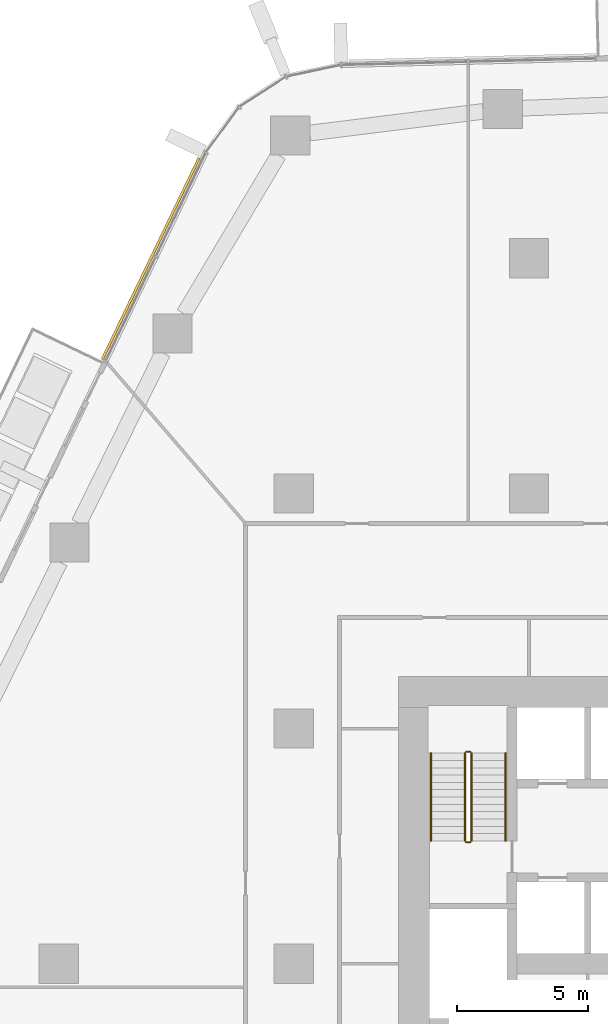
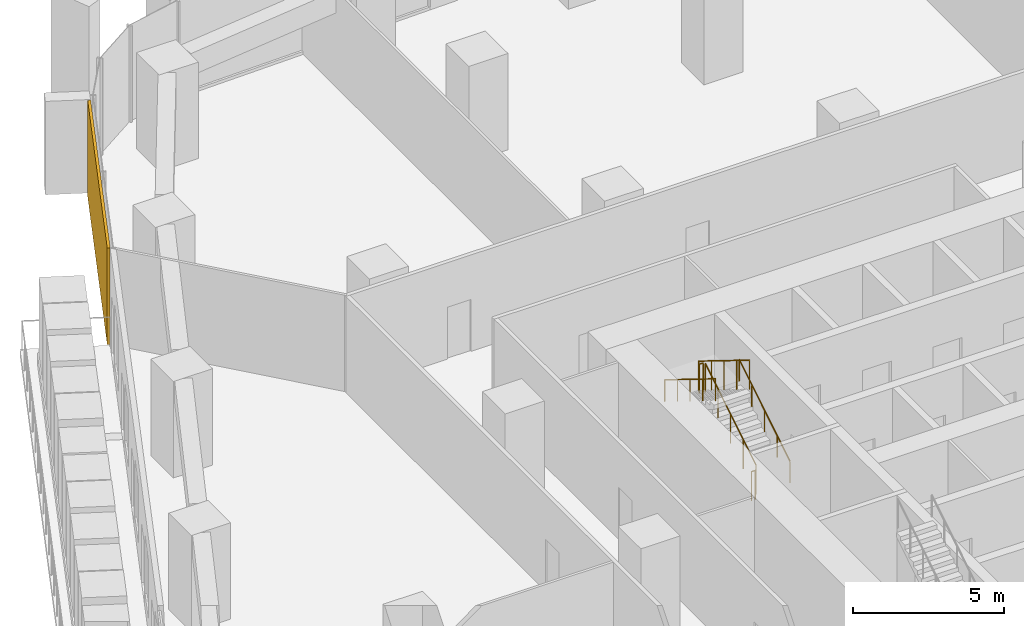
# One storey, part 21 of 23: 6 railings, 1 covering, 1 element without a shape of its own.
"""IFC4 building model written with IfcOpenShell, lengths in metres."""

from ifc_helpers import new_model, si_unit, direction, frame, origin, origin_2d, place, context, subcontext, project, spatial, rectangle, circle, extrude, material, layer, layer_set, type_object, element, aggregate, save


model = new_model("IFC4")

# Units and contexts
model_context = context("Model", 3, precision=1e-05, world=origin(), true_north=direction((0.0, 1.0)))
body_context = subcontext(model_context, "Body", "Model", "MODEL_VIEW")
ifc_project = project(units=[si_unit("LENGTHUNIT", "METRE"), si_unit("AREAUNIT", "SQUARE_METRE"), si_unit("VOLUMEUNIT", "CUBIC_METRE"), si_unit("PLANEANGLEUNIT", "RADIAN"), si_unit("MASSUNIT", "GRAM", prefix="KILO")], contexts=[model_context])

# Site, building, storey
site_placement = place(None, origin())
site = spatial("IfcSite", under=ifc_project, at=site_placement, CompositionType="ELEMENT")
building_placement = place(site_placement, origin())
building = spatial("IfcBuilding", under=site, at=building_placement, Name="Dongbaek Canopy Tower", CompositionType="ELEMENT")
storey_placement = place(building_placement, frame((0.0, 0.0, 84.699951171875)))
storey = spatial("IfcBuildingStorey", under=building, at=storey_placement, Name="L17", CompositionType="ELEMENT", Elevation=84.699951171875)

# Curtain wall, covering
ifc_material_1 = material(Name="Aluminium 6063-T6 pale anodised", Category="aluminium")
ifc_layer_1 = layer(ifc_material_1, 0.199951171875)
ifc_layer_set_1 = layer_set([ifc_layer_1], Name="CW-1 unitised tower curtain wall")
curtain_wall_type = type_object("IfcCurtainWallType", Name="CW-1 unitised tower curtain wall", PredefinedType="NOTDEFINED", material=ifc_layer_set_1)
curtain_wall_placement = place(storey_placement, origin())
curtain_wall = element("IfcCurtainWall", 1, at=curtain_wall_placement, inside=storey, type_object=curtain_wall_type, Name="CW-1 curtain wall F2.1", PredefinedType="NOTDEFINED")
ifc_material_2 = material(Name="Perforated aluminium 6063-T6 pale metal screen", Category="aluminium")
ifc_layer_2 = layer(ifc_material_2, 0.10009765625)
ifc_layer_set_2 = layer_set([ifc_layer_2], Name="Facet screen FS1 100 pale metal")
covering_type = type_object("IfcCoveringType", Name="Facet screen FS1 100 pale metal", PredefinedType="CLADDING", material=ifc_layer_set_2)
covering_placement = place(storey_placement, frame((-23.4794921875, 26.98681640625, 0.0), z_axis=(0.0, 0.0, 1.0), x_axis=(-0.433077104055, -0.901356878236, 0.0)))
covering = element("IfcCovering", 2, at=covering_placement, type_object=covering_type, Name="Facet screen L17 F2", PredefinedType="CLADDING", context=body_context, shape_type="SweptSolid", body=[
    extrude(rectangle(XDim=8.56787109375, YDim=0.10009765625, at=origin_2d()), origin(), (0.0, 0.0, 1.0), 3.89990234375),
])
aggregate(curtain_wall, [covering])

# Railings
ifc_material_3 = material(Name="Stainless steel tube and balusters", Category="steel")
railing_type_1 = type_object("IfcRailingType", Name="Stair guard 1200", PredefinedType="GUARDRAIL", material=ifc_material_3)
railing_1_placement = place(storey_placement, frame((-11.199951171875, 4.699951171875, 0.173095703125)))
element("IfcRailing", 3, at=railing_1_placement, inside=storey, type_object=railing_type_1, Name="L17 ST-C stair guard 1", PredefinedType="GUARDRAIL", context=body_context, shape_type="SweptSolid", body=[
    extrude(circle(Radius=0.02392578125, at=origin_2d()), frame((0.0, 0.0, 1.17578125), z_axis=(0.0, 0.850623216509, 0.525775754039), x_axis=(-1.0, 0.0, 0.0)), (0.0, 0.0, 1.0), 3.9501953125),
    extrude(circle(Radius=0.02099609375, at=origin_2d()), origin(), (0.0, 0.0, 1.0), 1.15185546875),
    extrude(circle(Radius=0.02099609375, at=origin_2d()), frame((0.0, 0.840087890625, 0.519287109375)), (0.0, 0.0, 1.0), 1.15185546875),
    extrude(circle(Radius=0.02099609375, at=origin_2d()), frame((0.0, 1.68017578125, 1.03857421875)), (0.0, 0.0, 1.0), 1.15185546875),
    extrude(circle(Radius=0.02099609375, at=origin_2d()), frame((0.0, 2.52001953125, 1.5576171875)), (0.0, 0.0, 1.0), 1.15185546875),
    extrude(circle(Radius=0.02099609375, at=origin_2d()), frame((0.0, 3.360107421875, 2.076904296875)), (0.0, 0.0, 1.0), 1.15185546875),
])
railing_2_placement = place(storey_placement, frame((-11.25, 8.110107421875, 2.25)))
element("IfcRailing", 4, at=railing_2_placement, inside=storey, type_object=railing_type_1, Name="L17 ST-C stair guard 2", PredefinedType="GUARDRAIL", context=body_context, shape_type="SweptSolid", body=[
    extrude(circle(Radius=0.02392578125, at=origin_2d()), frame((0.0, 0.0, 1.17578125), z_axis=(-1.0, 0.0, 0.0), x_axis=(0.0, -1.0, 0.0)), (0.0, 0.0, 1.0), 0.14990234375),
    extrude(circle(Radius=0.02099609375, at=origin_2d()), origin(), (0.0, 0.0, 1.0), 1.15185546875),
    extrude(circle(Radius=0.02099609375, at=origin_2d()), frame((-0.14990234375, 0.0, 0.0)), (0.0, 0.0, 1.0), 1.15185546875),
])
railing_3_placement = place(storey_placement, frame((-11.449951171875, 8.06005859375, 2.423095703125)))
element("IfcRailing", 5, at=railing_3_placement, inside=storey, type_object=railing_type_1, Name="L17 ST-C stair guard 3", PredefinedType="GUARDRAIL", context=body_context, shape_type="SweptSolid", body=[
    extrude(circle(Radius=0.02392578125, at=origin_2d()), frame((0.0, 0.0, 1.17578125), z_axis=(0.0, -0.850623216509, 0.525775754039), x_axis=(1.0, 0.0, 0.0)), (0.0, 0.0, 1.0), 3.9501953125),
    extrude(circle(Radius=0.02099609375, at=origin_2d()), origin(), (0.0, 0.0, 1.0), 1.15185546875),
    extrude(circle(Radius=0.02099609375, at=origin_2d()), frame((0.0, -0.840087890625, 0.519287109375)), (0.0, 0.0, 1.0), 1.15185546875),
    extrude(circle(Radius=0.02099609375, at=origin_2d()), frame((0.0, -1.68017578125, 1.03857421875)), (0.0, 0.0, 1.0), 1.15185546875),
    extrude(circle(Radius=0.02099609375, at=origin_2d()), frame((0.0, -2.52001953125, 1.5576171875)), (0.0, 0.0, 1.0), 1.15185546875),
    extrude(circle(Radius=0.02099609375, at=origin_2d()), frame((0.0, -3.360107421875, 2.076904296875)), (0.0, 0.0, 1.0), 1.15185546875),
])
railing_4_placement = place(storey_placement, frame((-11.25, 4.64990234375, 0.0)))
element("IfcRailing", 6, at=railing_4_placement, inside=storey, type_object=railing_type_1, Name="L17 ST-C stair guard 4", PredefinedType="GUARDRAIL", context=body_context, shape_type="SweptSolid", body=[
    extrude(circle(Radius=0.02392578125, at=origin_2d()), frame((0.0, 0.0, 1.17578125), z_axis=(-1.0, 0.0, 0.0), x_axis=(0.0, -1.0, 0.0)), (0.0, 0.0, 1.0), 0.14990234375),
    extrude(circle(Radius=0.02099609375, at=origin_2d()), origin(), (0.0, 0.0, 1.0), 1.15185546875),
    extrude(circle(Radius=0.02099609375, at=origin_2d()), frame((-0.14990234375, 0.0, 0.0)), (0.0, 0.0, 1.0), 1.15185546875),
])
ifc_material_4 = material(Name="Stainless steel tube", Category="steel")
railing_type_2 = type_object("IfcRailingType", Name="Stair handrail 900", PredefinedType="HANDRAIL", material=ifc_material_4)
railing_5_placement = place(storey_placement, frame((-9.89990234375, 4.699951171875, 0.173095703125)))
element("IfcRailing", 7, at=railing_5_placement, inside=storey, type_object=railing_type_2, Name="L17 ST-C stair handrail 1", PredefinedType="HANDRAIL", context=body_context, shape_type="SweptSolid", body=[
    extrude(circle(Radius=0.02392578125, at=origin_2d()), frame((0.0, 0.0, 0.8759765625), z_axis=(0.0, 0.850623216509, 0.525775754039), x_axis=(-1.0, 0.0, 0.0)), (0.0, 0.0, 1.0), 3.9501953125),
    extrude(circle(Radius=0.02099609375, at=origin_2d()), origin(), (0.0, 0.0, 1.0), 0.851806640625),
    extrude(circle(Radius=0.02099609375, at=origin_2d()), frame((0.0, 0.840087890625, 0.519287109375)), (0.0, 0.0, 1.0), 0.851806640625),
    extrude(circle(Radius=0.02099609375, at=origin_2d()), frame((0.0, 1.68017578125, 1.03857421875)), (0.0, 0.0, 1.0), 0.851806640625),
    extrude(circle(Radius=0.02099609375, at=origin_2d()), frame((0.0, 2.52001953125, 1.5576171875)), (0.0, 0.0, 1.0), 0.851806640625),
    extrude(circle(Radius=0.02099609375, at=origin_2d()), frame((0.0, 3.360107421875, 2.076904296875)), (0.0, 0.0, 1.0), 0.851806640625),
])
railing_6_placement = place(storey_placement, frame((-12.75, 8.06005859375, 2.423095703125)))
element("IfcRailing", 8, at=railing_6_placement, inside=storey, type_object=railing_type_2, Name="L17 ST-C stair handrail 2", PredefinedType="HANDRAIL", context=body_context, shape_type="SweptSolid", body=[
    extrude(circle(Radius=0.02392578125, at=origin_2d()), frame((0.0, 0.0, 0.8759765625), z_axis=(0.0, -0.850623216509, 0.525775754039), x_axis=(1.0, 0.0, 0.0)), (0.0, 0.0, 1.0), 3.9501953125),
    extrude(circle(Radius=0.02099609375, at=origin_2d()), origin(), (0.0, 0.0, 1.0), 0.851806640625),
    extrude(circle(Radius=0.02099609375, at=origin_2d()), frame((0.0, -0.840087890625, 0.519287109375)), (0.0, 0.0, 1.0), 0.851806640625),
    extrude(circle(Radius=0.02099609375, at=origin_2d()), frame((0.0, -1.68017578125, 1.03857421875)), (0.0, 0.0, 1.0), 0.851806640625),
    extrude(circle(Radius=0.02099609375, at=origin_2d()), frame((0.0, -2.52001953125, 1.5576171875)), (0.0, 0.0, 1.0), 0.851806640625),
    extrude(circle(Radius=0.02099609375, at=origin_2d()), frame((0.0, -3.360107421875, 2.076904296875)), (0.0, 0.0, 1.0), 0.851806640625),
])

save(model, "model.ifc")
